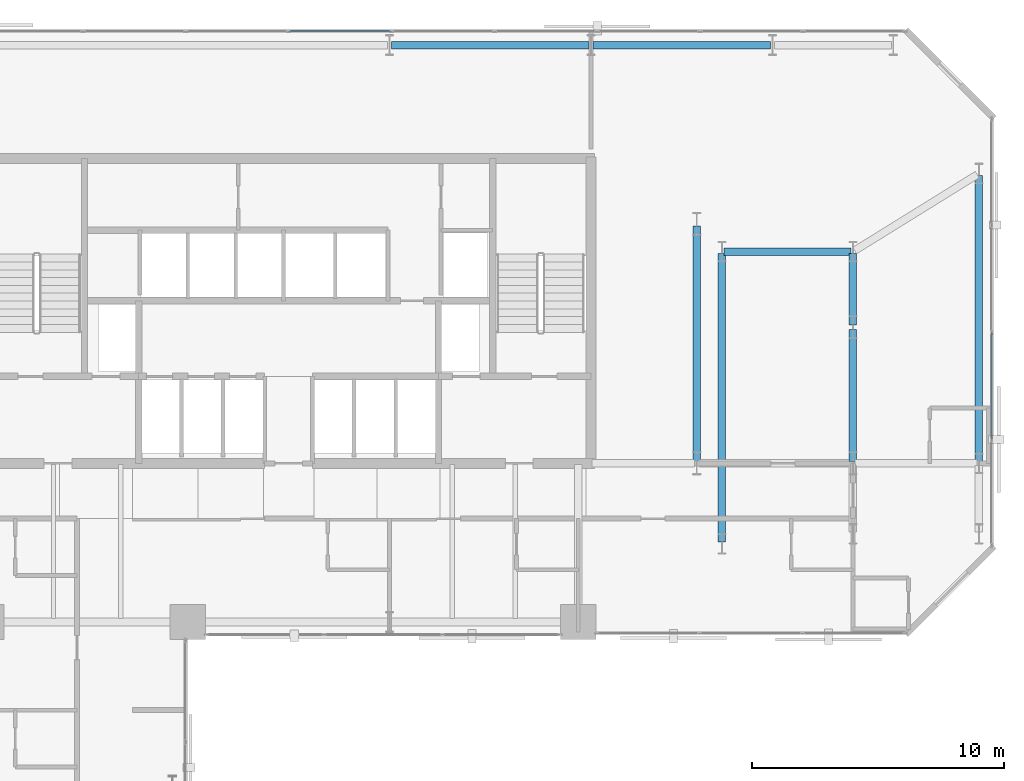
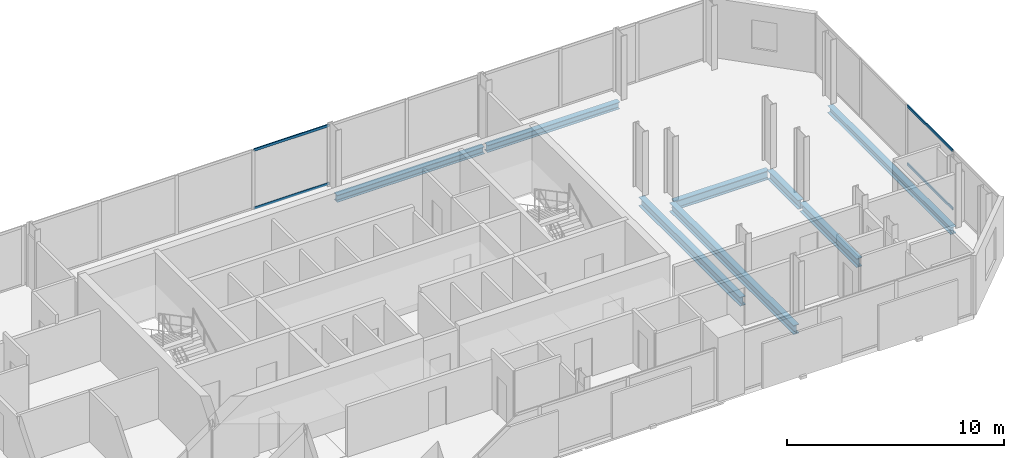
# One storey, part 24 of 33: 8 beams, 4 members, 2 elements without a shape of their own.
"""IFC4 building model written with IfcOpenShell, lengths in metres."""

from ifc_helpers import new_model, si_unit, direction, frame, origin, origin_2d, place, context, subcontext, project, spatial, hollow_rectangle, i_section, extrude, material, layer, layer_set, material_profile, profile_set, type_object, element, aggregate, save


model = new_model("IFC4")

# Units and contexts
model_context = context("Model", 3, precision=1e-05, world=origin(), true_north=direction((0.0, 1.0)))
body_context = subcontext(model_context, "Body", "Model", "MODEL_VIEW")
ifc_project = project(units=[si_unit("LENGTHUNIT", "METRE"), si_unit("AREAUNIT", "SQUARE_METRE"), si_unit("VOLUMEUNIT", "CUBIC_METRE"), si_unit("PLANEANGLEUNIT", "RADIAN"), si_unit("MASSUNIT", "GRAM", prefix="KILO")], contexts=[model_context])

# Site, building, storey
site_placement = place(None, origin())
site = spatial("IfcSite", under=ifc_project, at=site_placement, CompositionType="ELEMENT")
building_placement = place(site_placement, origin())
building = spatial("IfcBuilding", under=site, at=building_placement, Name="Catumbela Crestline Tower", CompositionType="ELEMENT")
storey_placement = place(building_placement, frame((0.0, 0.0, 54.6)))
storey = spatial("IfcBuildingStorey", under=building, at=storey_placement, Name="L13", CompositionType="ELEMENT", Elevation=54.6)

# Beams
ifc_material_1 = material(Name="Structural steel S355J2", Category="steel")
ifc_material_profile_1 = material_profile(ifc_material_1, i_section(OverallWidth=0.3, OverallDepth=0.5, WebThickness=0.0145, FlangeThickness=0.028, FilletRadius=0.027, at=origin_2d()), Name="HEB 500")
ifc_profile_set_1 = profile_set([ifc_material_profile_1], Name="Structural steel S355J2")
beam_type_1 = type_object("IfcBeamType", Name="BG-HEB500", PredefinedType="BEAM", material=ifc_profile_set_1)
beam_1_placement = place(storey_placement, frame((45.28, 39.2, -0.51), z_axis=(1.0, 0.0, 0.0), x_axis=(0.0, 1.0, 0.0)))
element("IfcBeam", 1, at=beam_1_placement, inside=storey, type_object=beam_type_1, Name="L13 Beam BM-L13-N17", PredefinedType="BEAM", context=body_context, shape_type="SweptSolid", body=[
    extrude(i_section(OverallWidth=0.3, OverallDepth=0.5, WebThickness=0.0145, FlangeThickness=0.028, FilletRadius=0.027, at=origin_2d()), origin(), (0.0, 0.0, 1.0), 5.04),
])
beam_2_placement = place(storey_placement, frame((44.2, 30.88, -0.51), z_axis=(0.0, 1.0, 0.0), x_axis=(-1.0, 0.0, 0.0)))
element("IfcBeam", 2, at=beam_2_placement, inside=storey, type_object=beam_type_1, Name="L13 Beam BM-L13-SN35", PredefinedType="BEAM", context=body_context, shape_type="SweptSolid", body=[
    extrude(i_section(OverallWidth=0.3, OverallDepth=0.5, WebThickness=0.0145, FlangeThickness=0.028, FilletRadius=0.027, at=origin_2d()), origin(), (0.0, 0.0, 1.0), 9.34),
])
beam_3_placement = place(storey_placement, frame((45.2, 27.68, -0.51), z_axis=(0.0, 1.0, 0.0), x_axis=(-1.0, 0.0, 0.0)))
element("IfcBeam", 3, at=beam_3_placement, inside=storey, type_object=beam_type_1, Name="L13 Beam BM-L13-SN36", PredefinedType="BEAM", context=body_context, shape_type="SweptSolid", body=[
    extrude(i_section(OverallWidth=0.3, OverallDepth=0.5, WebThickness=0.0145, FlangeThickness=0.028, FilletRadius=0.027, at=origin_2d()), origin(), (0.0, 0.0, 1.0), 11.44),
])
beam_4_placement = place(storey_placement, frame((50.4, 30.88, -0.51), z_axis=(0.0, 1.0, 0.0), x_axis=(-1.0, 0.0, 0.0)))
element("IfcBeam", 4, at=beam_4_placement, inside=storey, type_object=beam_type_1, Name="L13 Beam BM-L13-SN38", PredefinedType="BEAM", context=body_context, shape_type="SweptSolid", body=[
    extrude(i_section(OverallWidth=0.3, OverallDepth=0.5, WebThickness=0.0145, FlangeThickness=0.028, FilletRadius=0.027, at=origin_2d()), origin(), (0.0, 0.0, 1.0), 5.24),
])
beam_5_placement = place(storey_placement, frame((50.4, 36.28, -0.51), z_axis=(0.0, 1.0, 0.0), x_axis=(-1.0, 0.0, 0.0)))
element("IfcBeam", 5, at=beam_5_placement, inside=storey, type_object=beam_type_1, Name="L13 Beam BM-L13-SN39", PredefinedType="BEAM", context=body_context, shape_type="SweptSolid", body=[
    extrude(i_section(OverallWidth=0.3, OverallDepth=0.5, WebThickness=0.0145, FlangeThickness=0.028, FilletRadius=0.027, at=origin_2d()), origin(), (0.0, 0.0, 1.0), 2.84),
])
ifc_material_profile_2 = material_profile(ifc_material_1, i_section(OverallWidth=0.3, OverallDepth=0.39, WebThickness=0.011, FlangeThickness=0.019, FilletRadius=0.027, at=origin_2d()), Name="HEA 400")
ifc_profile_set_2 = profile_set([ifc_material_profile_2], Name="Structural steel S355J2")
beam_type_2 = type_object("IfcBeamType", Name="BS-HEA400", PredefinedType="SPANDREL", material=ifc_profile_set_2)
beam_6_placement = place(storey_placement, frame((32.08, 47.4, -0.455), z_axis=(1.0, 0.0, 0.0), x_axis=(0.0, 1.0, 0.0)))
element("IfcBeam", 6, at=beam_6_placement, inside=storey, type_object=beam_type_2, Name="L13 Spandrel SP-L13-NF22", PredefinedType="SPANDREL", context=body_context, shape_type="SweptSolid", body=[
    extrude(i_section(OverallWidth=0.3, OverallDepth=0.39, WebThickness=0.011, FlangeThickness=0.019, FilletRadius=0.027, at=origin_2d()), origin(), (0.0, 0.0, 1.0), 7.84),
])
beam_7_placement = place(storey_placement, frame((40.08, 47.4, -0.455), z_axis=(1.0, 0.0, 0.0), x_axis=(0.0, 1.0, 0.0)))
element("IfcBeam", 7, at=beam_7_placement, inside=storey, type_object=beam_type_2, Name="L13 Spandrel SP-L13-NF23", PredefinedType="SPANDREL", context=body_context, shape_type="SweptSolid", body=[
    extrude(i_section(OverallWidth=0.3, OverallDepth=0.39, WebThickness=0.011, FlangeThickness=0.019, FilletRadius=0.027, at=origin_2d()), origin(), (0.0, 0.0, 1.0), 7.04),
])
beam_8_placement = place(storey_placement, frame((55.4, 30.88, -0.455), z_axis=(0.0, 1.0, 0.0), x_axis=(-1.0, 0.0, 0.0)))
element("IfcBeam", 8, at=beam_8_placement, inside=storey, type_object=beam_type_2, Name="L13 Spandrel SP-L13-SN41", PredefinedType="SPANDREL", context=body_context, shape_type="SweptSolid", body=[
    extrude(i_section(OverallWidth=0.3, OverallDepth=0.39, WebThickness=0.011, FlangeThickness=0.019, FilletRadius=0.027, at=origin_2d()), origin(), (0.0, 0.0, 1.0), 11.34),
])

# Curtain wall, members
ifc_material_2 = material(Name="Aluminium alloy AW-6060-T66", Category="aluminium")
ifc_layer = layer(ifc_material_2, 0.18, Name="Aluminium alloy AW-6060-T66")
ifc_layer_set = layer_set([ifc_layer], Name="Aluminium alloy AW-6060-T66")
curtain_wall_type = type_object("IfcCurtainWallType", Name="CWU-Z1", PredefinedType="USERDEFINED", material=ifc_layer_set)
curtain_wall_1_placement = place(storey_placement, origin())
curtain_wall_1 = element("IfcCurtainWall", 9, at=curtain_wall_1_placement, inside=storey, type_object=curtain_wall_type, Name="L13 Unitised Curtain Wall CW-L13-E5S1", ObjectType="UNITISED", PredefinedType="USERDEFINED")
ifc_material_profile_3 = material_profile(ifc_material_2, hollow_rectangle(XDim=0.06, YDim=0.14, WallThickness=0.004, at=origin_2d()), Name="ALU 140x60x4")
ifc_profile_set_3 = profile_set([ifc_material_profile_3], Name="Aluminium alloy AW-6060-T66")
member_type = type_object("IfcMemberType", Name="TRN-140X60", PredefinedType="USERDEFINED", material=ifc_profile_set_3)
member_1_placement = place(storey_placement, frame((55.9, 31.7825, 0.03), z_axis=(0.0, 1.0, 0.0), x_axis=(-1.0, 0.0, 0.0)))
member_1 = element("IfcMember", 10, at=member_1_placement, type_object=member_type, Name="CWU-Z1 transom 2.1", ObjectType="TRANSOM", PredefinedType="USERDEFINED", context=body_context, shape_type="SweptSolid", body=[
    extrude(hollow_rectangle(XDim=0.06, YDim=0.14, WallThickness=0.004, at=origin_2d()), origin(), (0.0, 0.0, 1.0), 4.185),
])
member_2_placement = place(storey_placement, frame((55.9, 31.7825, 3.3), z_axis=(0.0, 1.0, 0.0), x_axis=(-1.0, 0.0, 0.0)))
member_2 = element("IfcMember", 11, at=member_2_placement, type_object=member_type, Name="CWU-Z1 transom 2.2", ObjectType="TRANSOM", PredefinedType="USERDEFINED", context=body_context, shape_type="SweptSolid", body=[
    extrude(hollow_rectangle(XDim=0.06, YDim=0.14, WallThickness=0.004, at=origin_2d()), origin(), (0.0, 0.0, 1.0), 4.185),
])
aggregate(curtain_wall_1, [member_1, member_2])

curtain_wall_2_placement = place(storey_placement, origin())
curtain_wall_2 = element("IfcCurtainWall", 12, at=curtain_wall_2_placement, inside=storey, type_object=curtain_wall_type, Name="L13 Unitised Curtain Wall CW-L13-E7S1", ObjectType="UNITISED", PredefinedType="USERDEFINED")
member_3_placement = place(storey_placement, frame((32.0508, 47.95, 0.03), z_axis=(-1.0, 0.0, 0.0), x_axis=(0.0, -1.0, 0.0)))
member_3 = element("IfcMember", 13, at=member_3_placement, type_object=member_type, Name="CWU-Z1 transom 6.1", ObjectType="TRANSOM", PredefinedType="USERDEFINED", context=body_context, shape_type="SweptSolid", body=[
    extrude(hollow_rectangle(XDim=0.06, YDim=0.14, WallThickness=0.004, at=origin_2d()), origin(), (0.0, 0.0, 1.0), 4.0183),
])
member_4_placement = place(storey_placement, frame((32.0508, 47.95, 3.3), z_axis=(-1.0, 0.0, 0.0), x_axis=(0.0, -1.0, 0.0)))
member_4 = element("IfcMember", 14, at=member_4_placement, type_object=member_type, Name="CWU-Z1 transom 6.2", ObjectType="TRANSOM", PredefinedType="USERDEFINED", context=body_context, shape_type="SweptSolid", body=[
    extrude(hollow_rectangle(XDim=0.06, YDim=0.14, WallThickness=0.004, at=origin_2d()), origin(), (0.0, 0.0, 1.0), 4.0183),
])
aggregate(curtain_wall_2, [member_3, member_4])

save(model, "model.ifc")
